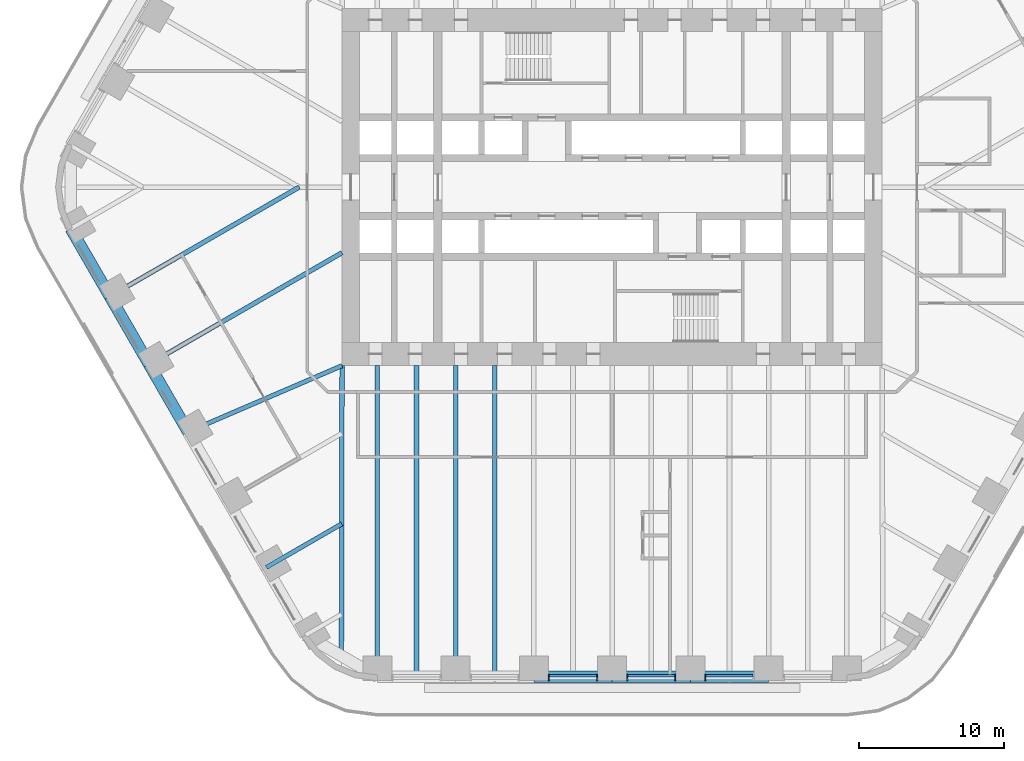
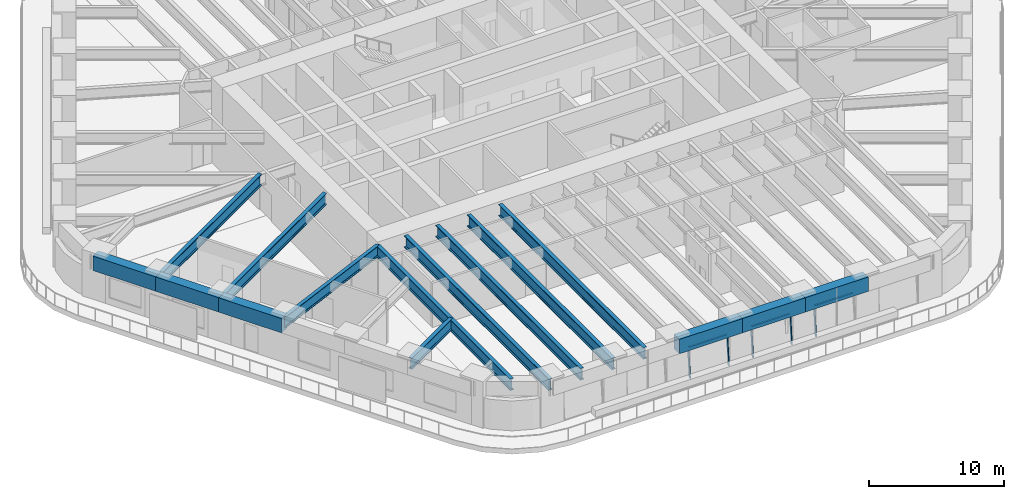
# One storey, part 3 of 24: 15 beams, 8 members, 3 elements without a shape of their own.
"""IFC4 building model written with IfcOpenShell, lengths in metres."""

from ifc_helpers import new_model, si_unit, direction, frame, origin, origin_2d, place, context, subcontext, project, spatial, rectangle, i_section, extrude, material, material_profile, profile_set, type_object, element, aggregate, save


model = new_model("IFC4")

# Units and contexts
model_context = context("Model", 3, precision=1e-05, world=origin(), true_north=direction((0.0, 1.0)))
body_context = subcontext(model_context, "Body", "Model", "MODEL_VIEW")
ifc_project = project(units=[si_unit("LENGTHUNIT", "METRE"), si_unit("AREAUNIT", "SQUARE_METRE"), si_unit("VOLUMEUNIT", "CUBIC_METRE"), si_unit("PLANEANGLEUNIT", "RADIAN"), si_unit("MASSUNIT", "GRAM", prefix="KILO")], contexts=[model_context])

# Site, building, storey
site_placement = place(None, origin())
site = spatial("IfcSite", under=ifc_project, at=site_placement, CompositionType="ELEMENT")
building_placement = place(site_placement, origin())
building = spatial("IfcBuilding", under=site, at=building_placement, Name="Tarfa Lantern Tower", CompositionType="ELEMENT")
storey_placement = place(building_placement, frame((0.0, 0.0, 65.5)))
storey = spatial("IfcBuildingStorey", under=building, at=storey_placement, Name="L14", CompositionType="ELEMENT", Elevation=65.5)

# Curtain wall, members
ifc_material_1 = material(Name="Aluminium framed curtain wall", Category="aluminium")
curtain_wall_type = type_object("IfcCurtainWallType", Name="CW1 CANTED GLAZING LOW ZONE 2700", PredefinedType="USERDEFINED", material=ifc_material_1)
curtain_wall_1_placement = place(storey_placement, origin())
curtain_wall_1 = element("IfcCurtainWall", 1, at=curtain_wall_1_placement, inside=storey, type_object=curtain_wall_type, Name="CW1 S L14", ObjectType="CURTAIN WALL", PredefinedType="USERDEFINED")
ifc_material_2 = material(Name="Aluminium mullion", Category="aluminium")
ifc_material_profile_1 = material_profile(ifc_material_2, rectangle(XDim=0.06494140625, YDim=0.199951171875, at=origin_2d()), Name="AL MULLION 65x200")
ifc_profile_set_1 = profile_set([ifc_material_profile_1], Name="Aluminium mullion")
member_type_1 = type_object("IfcMemberType", Name="CWM1 MULLION 65x200", PredefinedType="MULLION", material=ifc_profile_set_1)
member_1_placement = place(storey_placement, frame((-4.356201171875, -33.89990234375, 0.0), z_axis=(0.0, 0.092199863775, 0.995740520979), x_axis=(-1.0, 0.0, 0.0)))
member_1 = element("IfcMember", 2, at=member_1_placement, type_object=member_type_1, Name="CW1 mullion 1", PredefinedType="MULLION", context=body_context, shape_type="SweptSolid", body=[
    extrude(rectangle(XDim=0.06494140625, YDim=0.199951171875, at=origin_2d()), origin(), (0.0, 0.0, 1.0), 2.71142578125),
])
member_2_placement = place(storey_placement, frame((-1.032470703125, -33.89990234375, 0.0), z_axis=(0.0, 0.092199863775, 0.995740520979), x_axis=(-1.0, 0.0, 0.0)))
member_2 = element("IfcMember", 3, at=member_2_placement, type_object=member_type_1, Name="CW1 mullion 2", PredefinedType="MULLION", context=body_context, shape_type="SweptSolid", body=[
    extrude(rectangle(XDim=0.06494140625, YDim=0.199951171875, at=origin_2d()), origin(), (0.0, 0.0, 1.0), 2.71142578125),
])

curtain_wall_2_placement = place(storey_placement, origin())
curtain_wall_2 = element("IfcCurtainWall", 4, at=curtain_wall_2_placement, inside=storey, type_object=curtain_wall_type, Name="CW1 S L14", ObjectType="CURTAIN WALL", PredefinedType="USERDEFINED")
member_3_placement = place(storey_placement, frame((1.032470703125, -33.89990234375, 0.0), z_axis=(0.0, 0.092199863775, 0.995740520979), x_axis=(-1.0, 0.0, 0.0)))
member_3 = element("IfcMember", 5, at=member_3_placement, type_object=member_type_1, Name="CW1 mullion 1", PredefinedType="MULLION", context=body_context, shape_type="SweptSolid", body=[
    extrude(rectangle(XDim=0.06494140625, YDim=0.199951171875, at=origin_2d()), origin(), (0.0, 0.0, 1.0), 2.71142578125),
])
member_4_placement = place(storey_placement, frame((4.356201171875, -33.89990234375, 0.0), z_axis=(0.0, 0.092199863775, 0.995740520979), x_axis=(-1.0, 0.0, 0.0)))
member_4 = element("IfcMember", 6, at=member_4_placement, type_object=member_type_1, Name="CW1 mullion 2", PredefinedType="MULLION", context=body_context, shape_type="SweptSolid", body=[
    extrude(rectangle(XDim=0.06494140625, YDim=0.199951171875, at=origin_2d()), origin(), (0.0, 0.0, 1.0), 2.71142578125),
])

# Curtain wall, member
curtain_wall_3_placement = place(storey_placement, origin())
curtain_wall_3 = element("IfcCurtainWall", 7, at=curtain_wall_3_placement, inside=storey, type_object=curtain_wall_type, Name="CW1 S L14", ObjectType="CURTAIN WALL", PredefinedType="USERDEFINED")
member_5_placement = place(storey_placement, frame((6.421142578125, -33.89990234375, 0.0), z_axis=(0.0, 0.092199863775, 0.995740520979), x_axis=(-1.0, 0.0, 0.0)))
member_5 = element("IfcMember", 8, at=member_5_placement, type_object=member_type_1, Name="CW1 mullion 1", PredefinedType="MULLION", context=body_context, shape_type="SweptSolid", body=[
    extrude(rectangle(XDim=0.06494140625, YDim=0.199951171875, at=origin_2d()), origin(), (0.0, 0.0, 1.0), 2.71142578125),
])

# Member
ifc_material_3 = material(Name="Aluminium transom", Category="aluminium")
ifc_material_profile_2 = material_profile(ifc_material_3, rectangle(XDim=0.14990234375, YDim=0.06494140625, at=origin_2d()), Name="AL TRANSOM 150x65")
ifc_profile_set_2 = profile_set([ifc_material_profile_2], Name="Aluminium transom")
member_type_2 = type_object("IfcMemberType", Name="CWT1 TRANSOM 150x65", PredefinedType="USERDEFINED", material=ifc_profile_set_2)
member_6_placement = place(storey_placement, frame((-4.323486328125, -33.653076171875, 2.66748046875), z_axis=(1.0, 0.0, 0.0), x_axis=(0.0, 1.0, 0.0)))
member_6 = element("IfcMember", 9, at=member_6_placement, type_object=member_type_2, Name="CW1 transom 1.2", ObjectType="TRANSOM", PredefinedType="USERDEFINED", context=body_context, shape_type="SweptSolid", body=[
    extrude(rectangle(XDim=0.14990234375, YDim=0.06494140625, at=origin_2d()), origin(), (0.0, 0.0, 1.0), 3.258544921875),
])

aggregate(curtain_wall_1, [member_1, member_2, member_6])

member_7_placement = place(storey_placement, frame((1.06494140625, -33.653076171875, 2.66748046875), z_axis=(1.0, 0.0, 0.0), x_axis=(0.0, 1.0, 0.0)))
member_7 = element("IfcMember", 10, at=member_7_placement, type_object=member_type_2, Name="CW1 transom 1.2", ObjectType="TRANSOM", PredefinedType="USERDEFINED", context=body_context, shape_type="SweptSolid", body=[
    extrude(rectangle(XDim=0.14990234375, YDim=0.06494140625, at=origin_2d()), origin(), (0.0, 0.0, 1.0), 3.258544921875),
])

aggregate(curtain_wall_2, [member_3, member_4, member_7])

member_8_placement = place(storey_placement, frame((6.45361328125, -33.653076171875, 2.66748046875), z_axis=(1.0, 0.0, 0.0), x_axis=(0.0, 1.0, 0.0)))
member_8 = element("IfcMember", 11, at=member_8_placement, type_object=member_type_2, Name="CW1 transom 1.2", ObjectType="TRANSOM", PredefinedType="USERDEFINED", context=body_context, shape_type="SweptSolid", body=[
    extrude(rectangle(XDim=0.14990234375, YDim=0.06494140625, at=origin_2d()), origin(), (0.0, 0.0, 1.0), 3.258544921875),
])

aggregate(curtain_wall_3, [member_5, member_8])

# Beams
ifc_material_4 = material(Name="Concrete C80/95", Category="concrete")
ifc_material_profile_3 = material_profile(ifc_material_4, rectangle(XDim=0.800048828125, YDim=1.300048828125, at=origin_2d()), Name="RC 800x1300")
ifc_profile_set_3 = profile_set([ifc_material_profile_3], Name="Concrete C80/95")
beam_type_1 = type_object("IfcBeamType", Name="EB1 RC 800x1300", PredefinedType="SPANDREL", material=ifc_profile_set_3)
beam_1_placement = place(storey_placement, frame((-37.285400390625, -2.860107421875, 3.35009765625), z_axis=(0.500017906299, -0.866015065331, 0.0), x_axis=(0.866015065331, 0.500017906299, 0.0)))
element("IfcBeam", 12, at=beam_1_placement, inside=storey, type_object=beam_type_1, Name="Edge beam SW0", PredefinedType="SPANDREL", context=body_context, shape_type="SweptSolid", body=[
    extrude(rectangle(XDim=0.800048828125, YDim=1.300048828125, at=origin_2d()), origin(), (0.0, 0.0, 1.0), 5.388427734375),
])
for number, where, z_axis, x_axis, name in (
    (13, (-34.591064453125, -7.526611328125, 3.35009765625), (0.499998287579, -0.866026392449, 0.0), (0.866026392449, 0.499998287579, 0.0), "Edge beam SW1"),
    (14, (-31.896728515625, -12.193359375, 3.35009765625), (0.499998287579, -0.866026392449, 0.0), (0.866026392449, 0.499998287579, 0.0), "Edge beam SW2"),
    (15, (-5.388671875, -33.719970703125, 3.35009765625), (1.0, 0.0, 0.0), (0.0, 1.0, 0.0), "Edge beam S2"),
    (16, (0.0, -33.719970703125, 3.35009765625), (1.0, 0.0, 0.0), (0.0, 1.0, 0.0), "Edge beam S3"),
):
    element("IfcBeam", number, at=place(storey_placement, frame(where, z_axis=z_axis, x_axis=x_axis)), inside=storey, type_object=beam_type_1, Name=name, PredefinedType="SPANDREL", context=body_context, shape_type="SweptSolid", body=[
        extrude(rectangle(XDim=0.800048828125, YDim=1.300048828125, at=origin_2d()), origin(), (0.0, 0.0, 1.0), 5.388671875),
    ])
beam_2_placement = place(storey_placement, frame((5.388671875, -33.719970703125, 3.35009765625), z_axis=(1.0, 0.0, 0.0), x_axis=(0.0, 1.0, 0.0)))
element("IfcBeam", 17, at=beam_2_placement, inside=storey, type_object=beam_type_1, Name="Edge beam S4", PredefinedType="SPANDREL", context=body_context, shape_type="SweptSolid", body=[
    extrude(rectangle(XDim=0.800048828125, YDim=1.300048828125, at=origin_2d()), origin(), (0.0, 0.0, 1.0), 5.388427734375),
])
ifc_material_5 = material(Name="Steel S460M", Category="steel")
ifc_material_profile_4 = material_profile(ifc_material_5, i_section(OverallWidth=0.302001953125, OverallDepth=1.008056640625, WebThickness=0.02099609375, FlangeThickness=0.0400390625, FilletRadius=0.030029296875, at=origin_2d()), Name="UB1016x305x349")
ifc_profile_set_4 = profile_set([ifc_material_profile_4], Name="Steel S460M")
beam_type_2 = type_object("IfcBeamType", Name="UB1016x305x349", PredefinedType="BEAM", material=ifc_profile_set_4)
beam_3_placement = place(storey_placement, frame((-29.202392578125, -16.860107421875, 3.495849609375), z_axis=(0.918635483867, 0.395106122175, 0.0), x_axis=(-0.395106122175, 0.918635483867, 0.0)))
element("IfcBeam", 18, at=beam_3_placement, inside=storey, type_object=beam_type_2, Name="Floor beam SW3", PredefinedType="BEAM", context=body_context, shape_type="SweptSolid", body=[
    extrude(i_section(OverallWidth=0.302001953125, OverallDepth=1.008056640625, WebThickness=0.02099609375, FlangeThickness=0.0400390625, FilletRadius=0.030029296875, at=origin_2d()), origin(), (0.0, 0.0, 1.0), 11.541259765625),
])
beam_4_placement = place(storey_placement, frame((-23.813720703125, -26.193359375, 3.495849609375), z_axis=(0.866015997389, 0.500016292001, 0.0), x_axis=(-0.500016292001, 0.866015997389, 0.0)))
element("IfcBeam", 19, at=beam_4_placement, inside=storey, type_object=beam_type_2, Name="Floor beam SW5", PredefinedType="BEAM", context=body_context, shape_type="SweptSolid", body=[
    extrude(i_section(OverallWidth=0.302001953125, OverallDepth=1.008056640625, WebThickness=0.02099609375, FlangeThickness=0.0400390625, FilletRadius=0.030029296875, at=origin_2d()), origin(), (0.0, 0.0, 1.0), 5.993408203125),
])
ifc_material_profile_5 = material_profile(ifc_material_5, i_section(OverallWidth=0.314208984375, OverallDepth=1.055908203125, WebThickness=0.035888671875, FlangeThickness=0.06396484375, FilletRadius=0.030029296875, at=origin_2d()), Name="UB1016x305x584")
ifc_profile_set_5 = profile_set([ifc_material_profile_5], Name="Steel S460M")
beam_type_3 = type_object("IfcBeamType", Name="UB1016x305x584", PredefinedType="BEAM", material=ifc_profile_set_5)
beam_5_placement = place(storey_placement, frame((-18.60009765625, -12.300048828125, 3.471923828125), z_axis=(-0.00212508222, -0.99999774201, 0.0), x_axis=(0.99999774201, -0.00212508222, 0.0)))
element("IfcBeam", 20, at=beam_5_placement, inside=storey, type_object=beam_type_3, Name="Hip girder SW", PredefinedType="BEAM", context=body_context, shape_type="SweptSolid", body=[
    extrude(i_section(OverallWidth=0.314208984375, OverallDepth=1.055908203125, WebThickness=0.035888671875, FlangeThickness=0.06396484375, FilletRadius=0.030029296875, at=origin_2d()), origin(), (0.0, 0.0, 1.0), 19.989990234375),
])
beam_6_placement = place(storey_placement, frame((-34.591064453125, -7.526611328125, 3.471923828125), z_axis=(0.86602785945, 0.499995746638, 0.0), x_axis=(-0.499995746638, 0.86602785945, 0.0)))
element("IfcBeam", 21, at=beam_6_placement, inside=storey, type_object=beam_type_3, Name="Floor beam SW1", PredefinedType="BEAM", context=body_context, shape_type="SweptSolid", body=[
    extrude(i_section(OverallWidth=0.314208984375, OverallDepth=1.055908203125, WebThickness=0.035888671875, FlangeThickness=0.06396484375, FilletRadius=0.030029296875, at=origin_2d()), origin(), (0.0, 0.0, 1.0), 15.053466796875),
])
beam_7_placement = place(storey_placement, frame((-31.896728515625, -12.193359375, 3.471923828125), z_axis=(0.866026971665, 0.499997284341, 0.0), x_axis=(-0.499997284341, 0.866026971665, 0.0)))
element("IfcBeam", 22, at=beam_7_placement, inside=storey, type_object=beam_type_3, Name="Floor beam SW2", PredefinedType="BEAM", context=body_context, shape_type="SweptSolid", body=[
    extrude(i_section(OverallWidth=0.314208984375, OverallDepth=1.055908203125, WebThickness=0.035888671875, FlangeThickness=0.06396484375, FilletRadius=0.030029296875, at=origin_2d()), origin(), (0.0, 0.0, 1.0), 15.353515625),
])
for number, where, z_axis, x_axis, name in (
    (23, (-16.165771484375, -33.719970703125, 3.471923828125), (0.0, 1.0, 0.0), (-1.0, 0.0, 0.0), "Floor beam S0"),
    (24, (-10.777099609375, -33.719970703125, 3.471923828125), (0.0, 1.0, 0.0), (-1.0, 0.0, 0.0), "Floor beam S1"),
    (25, (-13.471435546875, -33.719970703125, 3.471923828125), (0.0, 1.0, 0.0), (-1.0, 0.0, 0.0), "Floor beam S0M"),
    (26, (-8.0830078125, -33.719970703125, 3.471923828125), (0.0, 1.0, 0.0), (-1.0, 0.0, 0.0), "Floor beam S1M"),
):
    element("IfcBeam", number, at=place(storey_placement, frame(where, z_axis=z_axis, x_axis=x_axis)), inside=storey, type_object=beam_type_3, Name=name, PredefinedType="BEAM", context=body_context, shape_type="SweptSolid", body=[
        extrude(i_section(OverallWidth=0.314208984375, OverallDepth=1.055908203125, WebThickness=0.035888671875, FlangeThickness=0.06396484375, FilletRadius=0.030029296875, at=origin_2d()), origin(), (0.0, 0.0, 1.0), 21.419921875),
    ])

save(model, "model.ifc")
